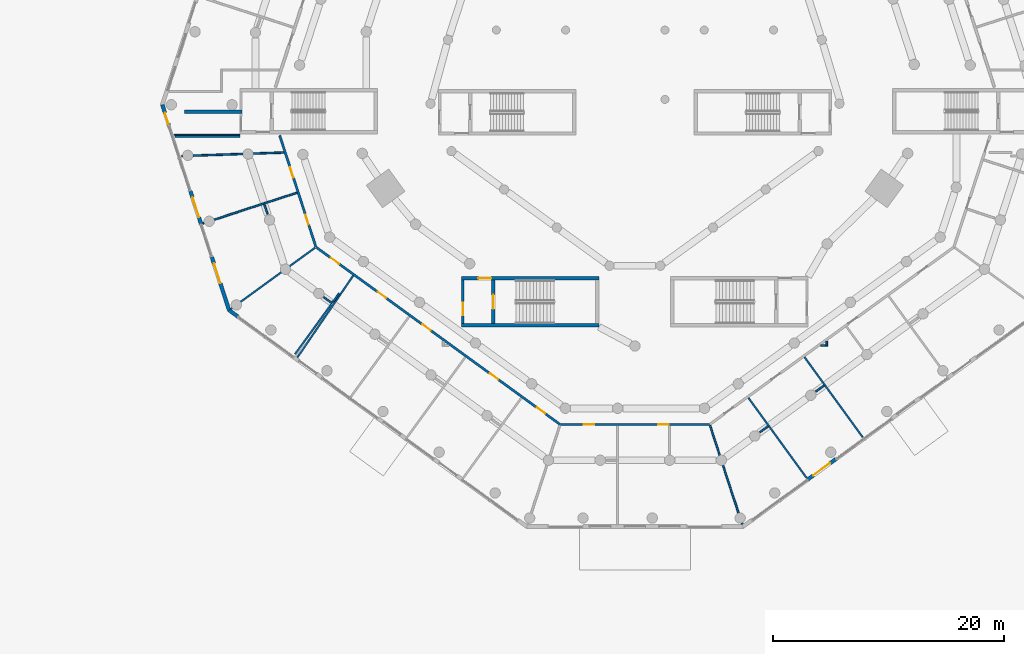
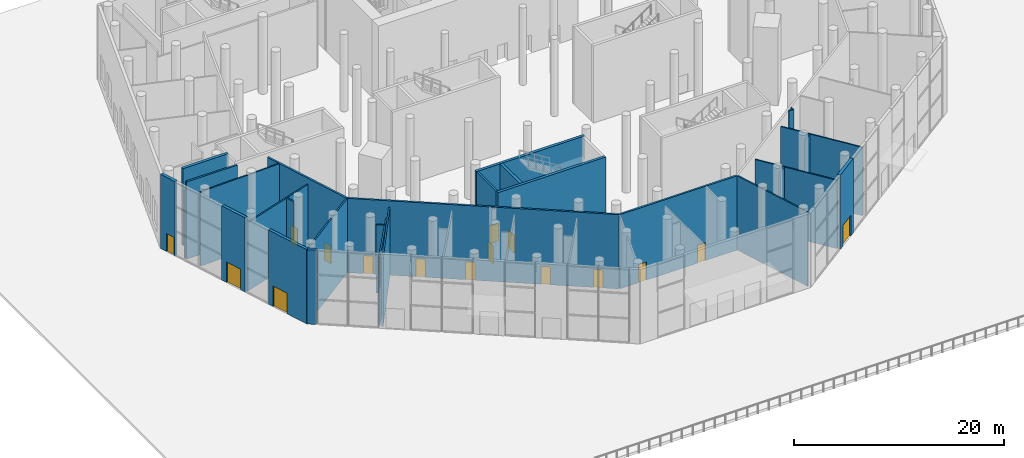
# One storey, part 10 of 25: 30 walls, 16 doors, 16 openings.
"""IFC4 building model written with IfcOpenShell, lengths in metres."""

from ifc_helpers import new_model, si_unit, direction, frame, frame_2d, origin, place, context, subcontext, project, spatial, rectangle, extrude, material, layer, layer_set, type_object, element, fill, save


model = new_model("IFC4")

# Units and contexts
model_context = context("Model", 3, precision=1e-05, world=origin(), true_north=direction((0.0, 1.0)))
body_context = subcontext(model_context, "Body", "Model", "MODEL_VIEW")
ifc_project = project(units=[si_unit("LENGTHUNIT", "METRE"), si_unit("AREAUNIT", "SQUARE_METRE"), si_unit("VOLUMEUNIT", "CUBIC_METRE"), si_unit("PLANEANGLEUNIT", "RADIAN"), si_unit("MASSUNIT", "GRAM", prefix="KILO")], contexts=[model_context])

# Site, building, storey
site_placement = place(None, origin())
site = spatial("IfcSite", under=ifc_project, at=site_placement, CompositionType="ELEMENT")
building_placement = place(site_placement, origin())
building = spatial("IfcBuilding", under=site, at=building_placement, Name="White Candle Pilgrim Tower", CompositionType="ELEMENT")
storey_placement = place(building_placement, origin())
storey = spatial("IfcBuildingStorey", under=building, at=storey_placement, Name="L00", CompositionType="ELEMENT", Elevation=0.0)

# Wall, opening, door
ifc_material_1 = material(Name="Concrete C70/85", Category="concrete")
ifc_layer_1 = layer(ifc_material_1, 0.199951171875)
ifc_layer_set_1 = layer_set([ifc_layer_1], Name="Core wall 200 mm Concrete C70/85")
wall_type_1 = type_object("IfcWallType", Name="Core wall 200 mm Concrete C70/85", PredefinedType="SHEAR", material=ifc_layer_set_1)
wall_1_placement = place(storey_placement, frame((55.10009765625, 41.60009765625, 0.0), z_axis=(0.0, 0.0, 1.0), x_axis=(0.0, 1.0, 0.0)))
wall_1 = element("IfcWall", 1, at=wall_1_placement, inside=storey, type_object=wall_type_1, Name="WL-L00-C03", PredefinedType="SHEAR", context=body_context, shape_type="SweptSolid", body=[
    extrude(rectangle(XDim=3.75, YDim=0.199951171875, at=frame_2d((1.875, 0.0))), origin(), (0.0, 0.0, 1.0), 9.0),
])
opening_1_placement = place(wall_1_placement, frame((0.699951171875, 0.0, 0.0)))
opening_1 = element("IfcOpeningElement", 2, at=opening_1_placement, cuts=wall_1, Name="Opening L00-015", PredefinedType="OPENING", context=body_context, shape_type="SweptSolid", body=[
    extrude(rectangle(XDim=1.10009765625, YDim=2.10009765625, at=frame_2d((0.550048828125, 1.050048828125))), frame((0.0, 0.10986328125, 0.0), z_axis=(0.0, -1.0, 0.0), x_axis=(1.0, 0.0, 0.0)), (0.0, 0.0, 1.0), 0.219970703125),
])
ifc_material_2 = material(Name="Steel door leaf", Category="steel")
door_type_1 = type_object("IfcDoorType", Name="Fire door 1100 x 2100 EI 60", OperationType="NOTDEFINED", PredefinedType="DOOR", material=ifc_material_2)
door_1_placement = place(opening_1_placement, origin())
door_1 = element("IfcDoor", 3, at=door_1_placement, inside=storey, type_object=door_type_1, Name="Door L00-015", OperationType="SINGLE_SWING_LEFT", OverallHeight=2.10009765625, OverallWidth=1.10009765625, PredefinedType="DOOR", context=body_context, shape_type="SweptSolid", body=[
    extrude(rectangle(XDim=1.10009765625, YDim=2.10009765625, at=frame_2d((0.550048828125, 1.050048828125))), frame((0.0, 0.02490234375, 0.0), z_axis=(0.0, -1.0, 0.0), x_axis=(1.0, 0.0, 0.0)), (0.0, 0.0, 1.0), 0.050048828125),
])
fill(opening_1, door_1)

# Wall
wall_2_placement = place(storey_placement, frame((30.199951171875, 57.800048828125, 0.0), z_axis=(0.0, 0.0, 1.0), x_axis=(1.0, 0.0, 0.0)))
element("IfcWall", 4, at=wall_2_placement, inside=storey, type_object=wall_type_1, Name="WL-L00-C11", PredefinedType="SHEAR", context=body_context, shape_type="SweptSolid", body=[
    extrude(rectangle(XDim=5.60009765625, YDim=0.199951171875, at=frame_2d((2.800048828125, 0.0))), origin(), (0.0, 0.0, 1.0), 9.0),
])

# Wall, openings, doors
ifc_material_3 = material(Name="Gypsum board on steel studs", Category="steel")
ifc_layer_2 = layer(ifc_material_3, 0.199951171875)
ifc_layer_set_2 = layer_set([ifc_layer_2], Name="Corridor wall 200 mm EI 45")
wall_type_2 = type_object("IfcWallType", Name="Corridor wall 200 mm EI 45", PredefinedType="PARTITIONING", material=ifc_layer_set_2)
wall_3_placement = place(storey_placement, frame((76.4462890625, 32.861083984375, 0.0), z_axis=(0.0, 0.0, 1.0), x_axis=(-1.0, 0.0, 0.0)))
wall_3 = element("IfcWall", 5, at=wall_3_placement, inside=storey, type_object=wall_type_2, Name="WL-L00-P002", PredefinedType="PARTITIONING", context=body_context, shape_type="SweptSolid", body=[
    extrude(rectangle(XDim=12.892578125, YDim=0.199951171875, at=frame_2d((6.4462890625, 0.0))), origin(), (0.0, 0.0, 1.0), 8.64990234375),
])
opening_2_placement = place(wall_3_placement, frame((9.985595703125, 0.0, 0.0)))
opening_2 = element("IfcOpeningElement", 6, at=opening_2_placement, cuts=wall_3, Name="Opening L00-111", PredefinedType="OPENING", context=body_context, shape_type="SweptSolid", body=[
    extrude(rectangle(XDim=0.89990234375, YDim=2.10009765625, at=frame_2d((0.449951171875, 1.050048828125))), frame((0.0, 0.10986328125, 0.0), z_axis=(0.0, -1.0, 0.0), x_axis=(1.0, 0.0, 0.0)), (0.0, 0.0, 1.0), 0.219970703125),
])
opening_3_placement = place(wall_3_placement, frame((3.5068359375, 0.0, 0.0)))
opening_3 = element("IfcOpeningElement", 7, at=opening_3_placement, cuts=wall_3, Name="Opening L00-112", PredefinedType="OPENING", context=body_context, shape_type="SweptSolid", body=[
    extrude(rectangle(XDim=0.89990234375, YDim=2.10009765625, at=frame_2d((0.449951171875, 1.050048828125))), frame((0.0, 0.10986328125, 0.0), z_axis=(0.0, -1.0, 0.0), x_axis=(1.0, 0.0, 0.0)), (0.0, 0.0, 1.0), 0.219970703125),
])
door_type_2 = type_object("IfcDoorType", Name="Fire door 900 x 2100 EI 30", OperationType="NOTDEFINED", PredefinedType="DOOR", material=ifc_material_2)
door_2_placement = place(opening_2_placement, origin())
door_2 = element("IfcDoor", 8, at=door_2_placement, inside=storey, type_object=door_type_2, Name="Door L00-111", OperationType="SINGLE_SWING_LEFT", OverallHeight=2.10009765625, OverallWidth=0.89990234375, PredefinedType="DOOR", context=body_context, shape_type="SweptSolid", body=[
    extrude(rectangle(XDim=0.89990234375, YDim=2.10009765625, at=frame_2d((0.449951171875, 1.050048828125))), frame((0.0, 0.02490234375, 0.0), z_axis=(0.0, -1.0, 0.0), x_axis=(1.0, 0.0, 0.0)), (0.0, 0.0, 1.0), 0.050048828125),
])
fill(opening_2, door_2)
door_3_placement = place(opening_3_placement, origin())
door_3 = element("IfcDoor", 9, at=door_3_placement, inside=storey, type_object=door_type_2, Name="Door L00-112", OperationType="SINGLE_SWING_RIGHT", OverallHeight=2.10009765625, OverallWidth=0.89990234375, PredefinedType="DOOR", context=body_context, shape_type="SweptSolid", body=[
    extrude(rectangle(XDim=0.89990234375, YDim=2.10009765625, at=frame_2d((0.449951171875, 1.050048828125))), frame((0.0, 0.02490234375, 0.0), z_axis=(0.0, -1.0, 0.0), x_axis=(1.0, 0.0, 0.0)), (0.0, 0.0, 1.0), 0.050048828125),
])
fill(opening_3, door_3)

wall_4_placement = place(storey_placement, frame((63.4951171875, 32.880126953125, 0.0), z_axis=(0.0, 0.0, 1.0), x_axis=(-0.809019996445, 0.587781120276, 0.0)))
wall_4 = element("IfcWall", 10, at=wall_4_placement, inside=storey, type_object=wall_type_2, Name="WL-L00-P003", PredefinedType="PARTITIONING", context=body_context, shape_type="SweptSolid", body=[
    extrude(rectangle(XDim=26.058349609375, YDim=0.199951171875, at=frame_2d((13.029296875, 0.0))), origin(), (0.0, 0.0, 1.0), 8.64990234375),
])
opening_4_placement = place(wall_4_placement, frame((23.610107421875, 0.0, 0.0)))
opening_4 = element("IfcOpeningElement", 11, at=opening_4_placement, cuts=wall_4, Name="Opening L00-106", PredefinedType="OPENING", context=body_context, shape_type="SweptSolid", body=[
    extrude(rectangle(XDim=0.89990234375, YDim=2.10009765625, at=frame_2d((0.449951171875, 1.050048828125))), frame((0.0, 0.10986328125, 0.0), z_axis=(0.0, -1.0, 0.0), x_axis=(1.0, 0.0, 0.0)), (0.0, 0.0, 1.0), 0.219970703125),
])
opening_5_placement = place(wall_4_placement, frame((18.5791015625, 0.0, 0.0)))
opening_5 = element("IfcOpeningElement", 12, at=opening_5_placement, cuts=wall_4, Name="Opening L00-107", PredefinedType="OPENING", context=body_context, shape_type="SweptSolid", body=[
    extrude(rectangle(XDim=0.89990234375, YDim=2.10009765625, at=frame_2d((0.449951171875, 1.050048828125))), frame((0.0, 0.10986328125, 0.0), z_axis=(0.0, -1.0, 0.0), x_axis=(1.0, 0.0, 0.0)), (0.0, 0.0, 1.0), 0.219970703125),
])
opening_6_placement = place(wall_4_placement, frame((13.8037109375, 0.0, 0.0)))
opening_6 = element("IfcOpeningElement", 13, at=opening_6_placement, cuts=wall_4, Name="Opening L00-108", PredefinedType="OPENING", context=body_context, shape_type="SweptSolid", body=[
    extrude(rectangle(XDim=0.89990234375, YDim=2.10009765625, at=frame_2d((0.449951171875, 1.050048828125))), frame((0.0, 0.10986328125, 0.0), z_axis=(0.0, -1.0, 0.0), x_axis=(1.0, 0.0, 0.0)), (0.0, 0.0, 1.0), 0.219970703125),
])
opening_7_placement = place(wall_4_placement, frame((6.5791015625, 0.0, 0.0)))
opening_7 = element("IfcOpeningElement", 14, at=opening_7_placement, cuts=wall_4, Name="Opening L00-109", PredefinedType="OPENING", context=body_context, shape_type="SweptSolid", body=[
    extrude(rectangle(XDim=0.89990234375, YDim=2.10009765625, at=frame_2d((0.449951171875, 1.050048828125))), frame((0.0, 0.10986328125, 0.0), z_axis=(0.0, -1.0, 0.0), x_axis=(1.0, 0.0, 0.0)), (0.0, 0.0, 1.0), 0.219970703125),
])
opening_8_placement = place(wall_4_placement, frame((1.54833984375, 0.0, 0.0)))
opening_8 = element("IfcOpeningElement", 15, at=opening_8_placement, cuts=wall_4, Name="Opening L00-110", PredefinedType="OPENING", context=body_context, shape_type="SweptSolid", body=[
    extrude(rectangle(XDim=0.89990234375, YDim=2.10009765625, at=frame_2d((0.449951171875, 1.050048828125))), frame((0.0, 0.10986328125, 0.0), z_axis=(0.0, -1.0, 0.0), x_axis=(1.0, 0.0, 0.0)), (0.0, 0.0, 1.0), 0.219970703125),
])
door_4_placement = place(opening_4_placement, origin())
door_4 = element("IfcDoor", 16, at=door_4_placement, inside=storey, type_object=door_type_2, Name="Door L00-106", OperationType="SINGLE_SWING_RIGHT", OverallHeight=2.10009765625, OverallWidth=0.89990234375, PredefinedType="DOOR", context=body_context, shape_type="SweptSolid", body=[
    extrude(rectangle(XDim=0.89990234375, YDim=2.10009765625, at=frame_2d((0.449951171875, 1.050048828125))), frame((0.0, 0.02490234375, 0.0), z_axis=(0.0, -1.0, 0.0), x_axis=(1.0, 0.0, 0.0)), (0.0, 0.0, 1.0), 0.050048828125),
])
fill(opening_4, door_4)
door_5_placement = place(opening_5_placement, origin())
door_5 = element("IfcDoor", 17, at=door_5_placement, inside=storey, type_object=door_type_2, Name="Door L00-107", OperationType="SINGLE_SWING_LEFT", OverallHeight=2.10009765625, OverallWidth=0.89990234375, PredefinedType="DOOR", context=body_context, shape_type="SweptSolid", body=[
    extrude(rectangle(XDim=0.89990234375, YDim=2.10009765625, at=frame_2d((0.449951171875, 1.050048828125))), frame((0.0, 0.02490234375, 0.0), z_axis=(0.0, -1.0, 0.0), x_axis=(1.0, 0.0, 0.0)), (0.0, 0.0, 1.0), 0.050048828125),
])
fill(opening_5, door_5)
door_6_placement = place(opening_6_placement, origin())
door_6 = element("IfcDoor", 18, at=door_6_placement, inside=storey, type_object=door_type_2, Name="Door L00-108", OperationType="SINGLE_SWING_RIGHT", OverallHeight=2.10009765625, OverallWidth=0.89990234375, PredefinedType="DOOR", context=body_context, shape_type="SweptSolid", body=[
    extrude(rectangle(XDim=0.89990234375, YDim=2.10009765625, at=frame_2d((0.449951171875, 1.050048828125))), frame((0.0, 0.02490234375, 0.0), z_axis=(0.0, -1.0, 0.0), x_axis=(1.0, 0.0, 0.0)), (0.0, 0.0, 1.0), 0.050048828125),
])
fill(opening_6, door_6)
door_7_placement = place(opening_7_placement, origin())
door_7 = element("IfcDoor", 19, at=door_7_placement, inside=storey, type_object=door_type_2, Name="Door L00-109", OperationType="SINGLE_SWING_LEFT", OverallHeight=2.10009765625, OverallWidth=0.89990234375, PredefinedType="DOOR", context=body_context, shape_type="SweptSolid", body=[
    extrude(rectangle(XDim=0.89990234375, YDim=2.10009765625, at=frame_2d((0.449951171875, 1.050048828125))), frame((0.0, 0.02490234375, 0.0), z_axis=(0.0, -1.0, 0.0), x_axis=(1.0, 0.0, 0.0)), (0.0, 0.0, 1.0), 0.050048828125),
])
fill(opening_7, door_7)
door_8_placement = place(opening_8_placement, origin())
door_8 = element("IfcDoor", 20, at=door_8_placement, inside=storey, type_object=door_type_2, Name="Door L00-110", OperationType="SINGLE_SWING_RIGHT", OverallHeight=2.10009765625, OverallWidth=0.89990234375, PredefinedType="DOOR", context=body_context, shape_type="SweptSolid", body=[
    extrude(rectangle(XDim=0.89990234375, YDim=2.10009765625, at=frame_2d((0.449951171875, 1.050048828125))), frame((0.0, 0.02490234375, 0.0), z_axis=(0.0, -1.0, 0.0), x_axis=(1.0, 0.0, 0.0)), (0.0, 0.0, 1.0), 0.050048828125),
])
fill(opening_8, door_8)

wall_5_placement = place(storey_placement, frame((42.377197265625, 48.246826171875, 0.0), z_axis=(0.0, 0.0, 1.0), x_axis=(-0.309015685068, 0.951056941714, 0.0)))
wall_5 = element("IfcWall", 21, at=wall_5_placement, inside=storey, type_object=wall_type_2, Name="WL-L00-P004", PredefinedType="PARTITIONING", context=body_context, shape_type="SweptSolid", body=[
    extrude(rectangle(XDim=10.117431640625, YDim=0.199951171875, at=frame_2d((5.05859375, 0.0))), origin(), (0.0, 0.0, 1.0), 8.64990234375),
])
opening_9_placement = place(wall_5_placement, frame((6.3095703125, 0.0, 0.0)))
opening_9 = element("IfcOpeningElement", 22, at=opening_9_placement, cuts=wall_5, Name="Opening L00-104", PredefinedType="OPENING", context=body_context, shape_type="SweptSolid", body=[
    extrude(rectangle(XDim=0.89990234375, YDim=2.10009765625, at=frame_2d((0.449951171875, 1.050048828125))), frame((0.0, 0.10986328125, 0.0), z_axis=(0.0, -1.0, 0.0), x_axis=(1.0, 0.0, 0.0)), (0.0, 0.0, 1.0), 0.219970703125),
])
opening_10_placement = place(wall_5_placement, frame((2.0068359375, 0.0, 0.0)))
opening_10 = element("IfcOpeningElement", 23, at=opening_10_placement, cuts=wall_5, Name="Opening L00-105", PredefinedType="OPENING", context=body_context, shape_type="SweptSolid", body=[
    extrude(rectangle(XDim=0.89990234375, YDim=2.10009765625, at=frame_2d((0.449951171875, 1.050048828125))), frame((0.0, 0.10986328125, 0.0), z_axis=(0.0, -1.0, 0.0), x_axis=(1.0, 0.0, 0.0)), (0.0, 0.0, 1.0), 0.219970703125),
])
door_9_placement = place(opening_9_placement, origin())
door_9 = element("IfcDoor", 24, at=door_9_placement, inside=storey, type_object=door_type_2, Name="Door L00-104", OperationType="SINGLE_SWING_RIGHT", OverallHeight=2.10009765625, OverallWidth=0.89990234375, PredefinedType="DOOR", context=body_context, shape_type="SweptSolid", body=[
    extrude(rectangle(XDim=0.89990234375, YDim=2.10009765625, at=frame_2d((0.449951171875, 1.050048828125))), frame((0.0, 0.02490234375, 0.0), z_axis=(0.0, -1.0, 0.0), x_axis=(1.0, 0.0, 0.0)), (0.0, 0.0, 1.0), 0.050048828125),
])
fill(opening_9, door_9)
door_10_placement = place(opening_10_placement, origin())
door_10 = element("IfcDoor", 25, at=door_10_placement, inside=storey, type_object=door_type_2, Name="Door L00-105", OperationType="SINGLE_SWING_LEFT", OverallHeight=2.10009765625, OverallWidth=0.89990234375, PredefinedType="DOOR", context=body_context, shape_type="SweptSolid", body=[
    extrude(rectangle(XDim=0.89990234375, YDim=2.10009765625, at=frame_2d((0.449951171875, 1.050048828125))), frame((0.0, 0.02490234375, 0.0), z_axis=(0.0, -1.0, 0.0), x_axis=(1.0, 0.0, 0.0)), (0.0, 0.0, 1.0), 0.050048828125),
])
fill(opening_10, door_10)

# Wall, opening, door
ifc_material_4 = material(Name="Precast concrete C40/50", Category="concrete")
ifc_layer_3 = layer(ifc_material_4, 0.320068359375)
ifc_layer_set_3 = layer_set([ifc_layer_3], Name="Facade wall EW3 precast concrete C40/50 and stone-faced podium wall")
wall_type_3 = type_object("IfcWallType", Name="Facade wall EW3 precast concrete C40/50 and stone-faced podium wall", PredefinedType="SOLIDWALL", material=ifc_layer_set_3)
wall_6_placement = place(storey_placement, frame((29.088134765625, 60.5390625, 0.0), z_axis=(0.0, 0.0, 1.0), x_axis=(0.309056246022, -0.951043761766, 0.0)))
wall_6 = element("IfcWall", 26, at=wall_6_placement, inside=storey, type_object=wall_type_3, Name="Facade wall L00 W chamfer", PredefinedType="SOLIDWALL", context=body_context, shape_type="SweptSolid", body=[
    extrude(rectangle(XDim=1.850830078125, YDim=0.320068359375, at=frame_2d((0.92529296875, 0.0))), origin(), (0.0, 0.0, 1.0), 8.64990234375),
])
opening_11_placement = place(wall_6_placement, frame((0.7509765625, 0.0, 0.0)))
opening_11 = element("IfcOpeningElement", 27, at=opening_11_placement, cuts=wall_6, Name="Opening L00-928", PredefinedType="OPENING", context=body_context, shape_type="SweptSolid", body=[
    extrude(rectangle(XDim=1.0, YDim=2.10009765625, at=frame_2d((0.5, 1.050048828125))), frame((0.0, 0.169921875, 0.0), z_axis=(0.0, -1.0, 0.0), x_axis=(1.0, 0.0, 0.0)), (0.0, 0.0, 1.0), 0.340087890625),
])
ifc_material_5 = material(Name="Timber frame with laminated glazing", Category="wood")
door_type_3 = type_object("IfcDoorType", Name="Exit door EN8 1000x2100 single leaf", OperationType="SINGLE_SWING_RIGHT", PredefinedType="DOOR", material=ifc_material_5)
door_11_placement = place(opening_11_placement, frame((1.0, 0.0, 0.0), z_axis=(0.0, 0.0, 1.0), x_axis=(-1.0, 0.0, 0.0)))
door_11 = element("IfcDoor", 28, at=door_11_placement, inside=storey, type_object=door_type_3, Name="Door L00 exit ST8", OperationType="SINGLE_SWING_RIGHT", OverallHeight=2.10009765625, OverallWidth=1.0, PredefinedType="DOOR", context=body_context, shape_type="SweptSolid", body=[
    extrude(rectangle(XDim=1.0, YDim=2.10009765625, at=frame_2d((0.5, 1.050048828125))), frame((0.0, 0.0400390625, 0.0), z_axis=(0.0, -1.0, 0.0), x_axis=(1.0, 0.0, 0.0)), (0.0, 0.0, 1.0), 0.050048828125),
])
fill(opening_11, door_11)

wall_7_placement = place(storey_placement, frame((31.51416015625, 53.072509765625, 0.0), z_axis=(0.0, 0.0, 1.0), x_axis=(0.309065831784, -0.951040646673, 0.0)))
wall_7 = element("IfcWall", 29, at=wall_7_placement, inside=storey, type_object=wall_type_3, Name="Facade wall L00 W chamfer", PredefinedType="SOLIDWALL", context=body_context, shape_type="SweptSolid", body=[
    extrude(rectangle(XDim=3.000244140625, YDim=0.320068359375, at=frame_2d((1.5, 0.0))), origin(), (0.0, 0.0, 1.0), 8.64990234375),
])
opening_12_placement = place(wall_7_placement, frame((0.60009765625, 0.0, 0.0)))
opening_12 = element("IfcOpeningElement", 30, at=opening_12_placement, cuts=wall_7, Name="Opening L00-901", PredefinedType="OPENING", context=body_context, shape_type="SweptSolid", body=[
    extrude(rectangle(XDim=1.800048828125, YDim=2.39990234375, at=frame_2d((0.89990234375, 1.199951171875))), frame((0.0, 0.169921875, 0.0), z_axis=(0.0, -1.0, 0.0), x_axis=(1.0, 0.0, 0.0)), (0.0, 0.0, 1.0), 0.340087890625),
])
door_type_4 = type_object("IfcDoorType", Name="Exit door EN5 1800x2400 double leaf", OperationType="DOUBLE_DOOR_DOUBLE_SWING", PredefinedType="DOOR", material=ifc_material_5)
door_12_placement = place(opening_12_placement, origin())
door_12 = element("IfcDoor", 31, at=door_12_placement, inside=storey, type_object=door_type_4, Name="Door L00 W chamfer 3", OperationType="DOUBLE_DOOR_DOUBLE_SWING", OverallHeight=2.39990234375, OverallWidth=1.800048828125, PredefinedType="DOOR", context=body_context, shape_type="SweptSolid", body=[
    extrude(rectangle(XDim=1.800048828125, YDim=2.39990234375, at=frame_2d((0.89990234375, 1.199951171875))), frame((0.0, 0.0400390625, 0.0), z_axis=(0.0, -1.0, 0.0), x_axis=(1.0, 0.0, 0.0)), (0.0, 0.0, 1.0), 0.050048828125),
])
fill(opening_12, door_12)

wall_8_placement = place(storey_placement, frame((33.368408203125, 47.365966796875, 0.0), z_axis=(0.0, 0.0, 1.0), x_axis=(0.309016652969, -0.951056627225, 0.0)))
wall_8 = element("IfcWall", 32, at=wall_8_placement, inside=storey, type_object=wall_type_3, Name="Facade wall L00 W chamfer", PredefinedType="SOLIDWALL", context=body_context, shape_type="SweptSolid", body=[
    extrude(rectangle(XDim=4.850830078125, YDim=0.320068359375, at=frame_2d((2.42529296875, 0.0))), origin(), (0.0, 0.0, 1.0), 8.64990234375),
])
opening_13_placement = place(wall_8_placement, frame((0.60009765625, 0.0, 0.0)))
opening_13 = element("IfcOpeningElement", 33, at=opening_13_placement, cuts=wall_8, Name="Opening L00-902", PredefinedType="OPENING", context=body_context, shape_type="SweptSolid", body=[
    extrude(rectangle(XDim=1.800048828125, YDim=2.39990234375, at=frame_2d((0.89990234375, 1.199951171875))), frame((0.0, 0.169921875, 0.0), z_axis=(0.0, -1.0, 0.0), x_axis=(1.0, 0.0, 0.0)), (0.0, 0.0, 1.0), 0.340087890625),
])
door_13_placement = place(opening_13_placement, origin())
door_13 = element("IfcDoor", 34, at=door_13_placement, inside=storey, type_object=door_type_4, Name="Door L00 W chamfer 5", OperationType="DOUBLE_DOOR_DOUBLE_SWING", OverallHeight=2.39990234375, OverallWidth=1.800048828125, PredefinedType="DOOR", context=body_context, shape_type="SweptSolid", body=[
    extrude(rectangle(XDim=1.800048828125, YDim=2.39990234375, at=frame_2d((0.89990234375, 1.199951171875))), frame((0.0, 0.0400390625, 0.0), z_axis=(0.0, -1.0, 0.0), x_axis=(1.0, 0.0, 0.0)), (0.0, 0.0, 1.0), 0.050048828125),
])
fill(opening_13, door_13)

# Wall
wall_9_placement = place(storey_placement, frame((34.867431640625, 42.75244140625, 0.0), z_axis=(0.0, 0.0, 1.0), x_axis=(0.809097681341, -0.587674180179, 0.0)))
element("IfcWall", 35, at=wall_9_placement, inside=storey, type_object=wall_type_3, Name="Facade wall L00 SW", PredefinedType="SOLIDWALL", context=body_context, shape_type="SweptSolid", body=[
    extrude(rectangle(XDim=0.933837890625, YDim=0.320068359375, at=frame_2d((0.466796875, 0.0))), origin(), (0.0, 0.0, 1.0), 8.64990234375),
])

# Wall, opening, door
wall_10_placement = place(storey_placement, frame((84.960693359375, 28.0966796875, 0.0), z_axis=(0.0, 0.0, 1.0), x_axis=(0.808999938455, 0.587808727036, 0.0)))
wall_10 = element("IfcWall", 36, at=wall_10_placement, inside=storey, type_object=wall_type_3, Name="Facade wall L00 SE", PredefinedType="SOLIDWALL", context=body_context, shape_type="SweptSolid", body=[
    extrude(rectangle(XDim=3.0, YDim=0.320068359375, at=frame_2d((1.5, 0.0))), origin(), (0.0, 0.0, 1.0), 8.64990234375),
])
opening_14_placement = place(wall_10_placement, frame((0.60009765625, 0.0, 0.0)))
opening_14 = element("IfcOpeningElement", 37, at=opening_14_placement, cuts=wall_10, Name="Opening L00-909", PredefinedType="OPENING", context=body_context, shape_type="SweptSolid", body=[
    extrude(rectangle(XDim=1.800048828125, YDim=2.39990234375, at=frame_2d((0.89990234375, 1.199951171875))), frame((0.0, 0.169921875, 0.0), z_axis=(0.0, -1.0, 0.0), x_axis=(1.0, 0.0, 0.0)), (0.0, 0.0, 1.0), 0.340087890625),
])
door_14_placement = place(opening_14_placement, origin())
door_14 = element("IfcDoor", 38, at=door_14_placement, inside=storey, type_object=door_type_4, Name="Door L00 SE 3", OperationType="DOUBLE_DOOR_DOUBLE_SWING", OverallHeight=2.39990234375, OverallWidth=1.800048828125, PredefinedType="DOOR", context=body_context, shape_type="SweptSolid", body=[
    extrude(rectangle(XDim=1.800048828125, YDim=2.39990234375, at=frame_2d((0.89990234375, 1.199951171875))), frame((0.0, 0.0400390625, 0.0), z_axis=(0.0, -1.0, 0.0), x_axis=(1.0, 0.0, 0.0)), (0.0, 0.0, 1.0), 0.050048828125),
])
fill(opening_14, door_14)

# Walls
ifc_layer_4 = layer(ifc_material_3, 0.10009765625)
ifc_layer_set_4 = layer_set([ifc_layer_4], Name="Lobby wall 100 mm REI 240")
wall_type_4 = type_object("IfcWallType", Name="Lobby wall 100 mm REI 240", PredefinedType="PARTITIONING", material=ifc_layer_set_4)
wall_11_placement = place(storey_placement, frame((30.1025390625, 57.949951171875, 0.0), z_axis=(0.0, 0.0, 1.0), x_axis=(1.0, 0.0, 0.0)))
element("IfcWall", 39, at=wall_11_placement, inside=storey, type_object=wall_type_4, Name="WL-L00-C13", PredefinedType="PARTITIONING", context=body_context, shape_type="SweptSolid", body=[
    extrude(rectangle(XDim=5.697509765625, YDim=0.10009765625, at=frame_2d((2.8486328125, 0.0))), origin(), (0.0, 0.0, 1.0), 7.949951171875),
])
ifc_layer_5 = layer(ifc_material_3, 0.14990234375)
ifc_layer_set_5 = layer_set([ifc_layer_5], Name="Partition 150 mm EI 60")
wall_type_5 = type_object("IfcWallType", Name="Partition 150 mm EI 60", PredefinedType="PARTITIONING", material=ifc_layer_set_5)
for number, where, z_axis, x_axis, name in (
    (40, (35.00341796875, 42.851318359375, 0.0), (0.0, 0.0, 1.0), (0.809012721552, 0.587791133284, 0.0), "WL-L00-P012"),
    (41, (79.299072265625, 24.18115234375, 0.0), (0.0, 0.0, 1.0), (-0.309033564473, 0.951051132184, 0.0), "WL-L00-P014"),
):
    element("IfcWall", number, at=place(storey_placement, frame(where, z_axis=z_axis, x_axis=x_axis)), inside=storey, type_object=wall_type_5, Name=name, PredefinedType="PARTITIONING", context=body_context, shape_type="SweptSolid", body=[
        extrude(rectangle(XDim=9.041748046875, YDim=0.14990234375, at=frame_2d((4.52099609375, 0.0))), origin(), (0.0, 0.0, 1.0), 8.64990234375),
    ])
wall_12_placement = place(storey_placement, frame((32.593505859375, 50.268798828125, 0.0), z_axis=(0.0, 0.0, 1.0), x_axis=(0.951054768527, 0.309022373402, 0.0)))
element("IfcWall", 42, at=wall_12_placement, inside=storey, type_object=wall_type_5, Name="WL-L00-P019", PredefinedType="PARTITIONING", context=body_context, shape_type="SweptSolid", body=[
    extrude(rectangle(XDim=8.579833984375, YDim=0.14990234375, at=frame_2d((4.2900390625, 0.0))), origin(), (0.0, 0.0, 1.0), 7.949951171875),
])
wall_13_placement = place(storey_placement, frame((40.7734375, 38.659423828125, 0.0), z_axis=(0.0, 0.0, 1.0), x_axis=(0.563959753829, 0.825802274192, 0.0)))
element("IfcWall", 43, at=wall_13_placement, inside=storey, type_object=wall_type_5, Name="WL-L00-P020", PredefinedType="PARTITIONING", context=body_context, shape_type="SweptSolid", body=[
    extrude(rectangle(XDim=8.583740234375, YDim=0.14990234375, at=frame_2d((4.2919921875, 0.0))), origin(), (0.0, 0.0, 1.0), 7.949951171875),
])
for number, where, z_axis, x_axis, name in (
    (44, (84.86669921875, 28.226318359375, 0.0), (0.0, 0.0, 1.0), (-0.587797718958, 0.809007936665, 0.0), "WL-L00-P025"),
    (45, (89.720703125, 31.7529296875, 0.0), (0.0, 0.0, 1.0), (-0.587797718958, 0.809007936665, 0.0), "WL-L00-P026"),
):
    element("IfcWall", number, at=place(storey_placement, frame(where, z_axis=z_axis, x_axis=x_axis)), inside=storey, type_object=wall_type_5, Name=name, PredefinedType="PARTITIONING", context=body_context, shape_type="SweptSolid", body=[
        extrude(rectangle(XDim=8.579833984375, YDim=0.14990234375, at=frame_2d((4.2900390625, 0.0))), origin(), (0.0, 0.0, 1.0), 7.949951171875),
    ])
wall_14_placement = place(storey_placement, frame((38.19287109375, 51.078125, 0.0), z_axis=(0.0, 0.0, 1.0), x_axis=(-0.309023738622, 0.95105432493, 0.0)))
element("IfcWall", 46, at=wall_14_placement, inside=storey, type_object=wall_type_5, Name="WL-L00-P032", PredefinedType="PARTITIONING", context=body_context, shape_type="SweptSolid", body=[
    extrude(rectangle(XDim=0.8857421875, YDim=0.14990234375, at=frame_2d((0.44287109375, 0.0))), origin(), (0.0, 0.0, 1.0), 7.949951171875),
])
wall_15_placement = place(storey_placement, frame((43.067138671875, 43.87548828125, 0.0), z_axis=(0.0, 0.0, 1.0), x_axis=(0.809010335679, -0.587794417092, 0.0)))
element("IfcWall", 47, at=wall_15_placement, inside=storey, type_object=wall_type_5, Name="WL-L00-P033", PredefinedType="PARTITIONING", context=body_context, shape_type="SweptSolid", body=[
    extrude(rectangle(XDim=0.885009765625, YDim=0.14990234375, at=frame_2d((0.4423828125, 0.0))), origin(), (0.0, 0.0, 1.0), 7.949951171875),
])
for number, where, z_axis, x_axis, name in (
    (48, (80.802978515625, 32.185546875, 0.0), (0.0, 0.0, 1.0), (0.809105603792, 0.587663272557, 0.0), "WL-L00-P039"),
    (49, (85.656982421875, 35.71240234375, 0.0), (0.0, 0.0, 1.0), (0.809105603792, 0.587663272557, 0.0), "WL-L00-P040"),
):
    element("IfcWall", number, at=place(storey_placement, frame(where, z_axis=z_axis, x_axis=x_axis)), inside=storey, type_object=wall_type_5, Name=name, PredefinedType="PARTITIONING", context=body_context, shape_type="SweptSolid", body=[
        extrude(rectangle(XDim=0.88525390625, YDim=0.14990234375, at=frame_2d((0.442626953125, 0.0))), origin(), (0.0, 0.0, 1.0), 7.949951171875),
    ])
wall_16_placement = place(storey_placement, frame((44.400146484375, 44.208984375, 0.0), z_axis=(0.0, 0.0, 1.0), x_axis=(-0.587982019152, -0.808873998318, 0.0)))
element("IfcWall", 50, at=wall_16_placement, inside=storey, type_object=wall_type_5, Name="WL-L00-P051", PredefinedType="PARTITIONING", context=body_context, shape_type="SweptSolid", body=[
    extrude(rectangle(XDim=0.91845703125, YDim=0.14990234375, at=frame_2d((0.459228515625, 0.0))), origin(), (0.0, 0.0, 1.0), 7.949951171875),
])
wall_17_placement = place(storey_placement, frame((43.701416015625, 43.247802734375, 0.0), z_axis=(0.0, 0.0, 1.0), x_axis=(-0.587747334873, -0.809044541635, 0.0)))
element("IfcWall", 51, at=wall_17_placement, inside=storey, type_object=wall_type_5, Name="WL-L00-P052", PredefinedType="PARTITIONING", context=body_context, shape_type="SweptSolid", body=[
    extrude(rectangle(XDim=5.30322265625, YDim=0.14990234375, at=frame_2d((2.651611328125, 0.0))), origin(), (0.0, 0.0, 1.0), 7.949951171875),
])
wall_18_placement = place(storey_placement, frame((30.775390625, 56.097900390625, 0.0), z_axis=(0.0, 0.0, 1.0), x_axis=(0.999409009915, 0.034374858564, 0.0)))
element("IfcWall", 52, at=wall_18_placement, inside=storey, type_object=wall_type_5, Name="WL-L00-P053", PredefinedType="PARTITIONING", context=body_context, shape_type="SweptSolid", body=[
    extrude(rectangle(XDim=8.849365234375, YDim=0.14990234375, at=frame_2d((4.4248046875, 0.0))), origin(), (0.0, 0.0, 1.0), 8.64990234375),
])
wall_19_placement = place(storey_placement, frame((86.10400390625, 39.699951171875, 0.0), z_axis=(0.0, 0.0, 1.0), x_axis=(1.0, 0.0, 0.0)))
element("IfcWall", 53, at=wall_19_placement, inside=storey, type_object=wall_type_5, Name="WL-L00-P075", PredefinedType="PARTITIONING", context=body_context, shape_type="SweptSolid", body=[
    extrude(rectangle(XDim=0.555908203125, YDim=0.14990234375, at=frame_2d((0.27783203125, 0.0))), origin(), (0.0, 0.0, 1.0), 8.64990234375),
])
wall_20_placement = place(storey_placement, frame((86.60009765625, 39.639892578125, 0.0), z_axis=(0.0, 0.0, 1.0), x_axis=(0.0, 1.0, 0.0)))
element("IfcWall", 54, at=wall_20_placement, inside=storey, type_object=wall_type_5, Name="WL-L00-P076", PredefinedType="PARTITIONING", context=body_context, shape_type="SweptSolid", body=[
    extrude(rectangle(XDim=0.43701171875, YDim=0.14990234375, at=frame_2d((0.218505859375, 0.0))), origin(), (0.0, 0.0, 1.0), 8.64990234375),
])
ifc_layer_6 = layer(ifc_material_1, 0.300048828125)
ifc_layer_set_6 = layer_set([ifc_layer_6], Name="Stair shaft wall 300 mm Concrete C70/85")
wall_type_6 = type_object("IfcWallType", Name="Stair shaft wall 300 mm Concrete C70/85", PredefinedType="SHEAR", material=ifc_layer_set_6)
wall_21_placement = place(storey_placement, frame((55.0, 41.449951171875, 0.0), z_axis=(0.0, 0.0, 1.0), x_axis=(1.0, 0.0, 0.0)))
element("IfcWall", 55, at=wall_21_placement, inside=storey, type_object=wall_type_6, Name="WL-L00-C01", PredefinedType="SHEAR", context=body_context, shape_type="SweptSolid", body=[
    extrude(rectangle(XDim=11.89990234375, YDim=0.300048828125, at=frame_2d((5.949951171875, 0.0))), origin(), (0.0, 0.0, 1.0), 9.0),
])

# Wall, opening, door
wall_22_placement = place(storey_placement, frame((57.75, 41.60009765625, 0.0), z_axis=(0.0, 0.0, 1.0), x_axis=(0.0, 1.0, 0.0)))
wall_22 = element("IfcWall", 56, at=wall_22_placement, inside=storey, type_object=wall_type_6, Name="WL-L00-C04", PredefinedType="SHEAR", context=body_context, shape_type="SweptSolid", body=[
    extrude(rectangle(XDim=3.75, YDim=0.300048828125, at=frame_2d((1.875, 0.0))), origin(), (0.0, 0.0, 1.0), 9.0),
])
opening_15_placement = place(wall_22_placement, frame((1.27490234375, 0.0, 0.0)))
opening_15 = element("IfcOpeningElement", 57, at=opening_15_placement, cuts=wall_22, Name="Opening L00-014", PredefinedType="OPENING", context=body_context, shape_type="SweptSolid", body=[
    extrude(rectangle(XDim=1.199951171875, YDim=2.10009765625, at=frame_2d((0.60009765625, 1.050048828125))), frame((0.0, 0.159912109375, 0.0), z_axis=(0.0, -1.0, 0.0), x_axis=(1.0, 0.0, 0.0)), (0.0, 0.0, 1.0), 0.320068359375),
])
door_type_5 = type_object("IfcDoorType", Name="Fire door 1200 x 2100 EI 60", OperationType="NOTDEFINED", PredefinedType="DOOR", material=ifc_material_2)
door_15_placement = place(opening_15_placement, frame((1.199951171875, 0.0, 0.0), z_axis=(0.0, 0.0, 1.0), x_axis=(-1.0, 0.0, 0.0)))
door_15 = element("IfcDoor", 58, at=door_15_placement, inside=storey, type_object=door_type_5, Name="Door L00-014", OperationType="SINGLE_SWING_LEFT", OverallHeight=2.10009765625, OverallWidth=1.199951171875, PredefinedType="DOOR", context=body_context, shape_type="SweptSolid", body=[
    extrude(rectangle(XDim=1.199951171875, YDim=2.10009765625, at=frame_2d((0.60009765625, 1.050048828125))), frame((0.0, 0.02490234375, 0.0), z_axis=(0.0, -1.0, 0.0), x_axis=(1.0, 0.0, 0.0)), (0.0, 0.0, 1.0), 0.050048828125),
])
fill(opening_15, door_15)

wall_23_placement = place(storey_placement, frame((55.0, 45.5, 0.0), z_axis=(0.0, 0.0, 1.0), x_axis=(1.0, 0.0, 0.0)))
wall_23 = element("IfcWall", 59, at=wall_23_placement, inside=storey, type_object=wall_type_6, Name="WL-L00-C09", PredefinedType="SHEAR", context=body_context, shape_type="SweptSolid", body=[
    extrude(rectangle(XDim=11.89990234375, YDim=0.300048828125, at=frame_2d((5.949951171875, 0.0))), origin(), (0.0, 0.0, 1.0), 9.0),
])
opening_16_placement = place(wall_23_placement, frame((1.449951171875, 0.0, 0.0)))
opening_16 = element("IfcOpeningElement", 60, at=opening_16_placement, cuts=wall_23, Name="Opening L00-013", PredefinedType="OPENING", context=body_context, shape_type="SweptSolid", body=[
    extrude(rectangle(XDim=1.10009765625, YDim=2.10009765625, at=frame_2d((0.550048828125, 1.050048828125))), frame((0.0, 0.159912109375, 0.0), z_axis=(0.0, -1.0, 0.0), x_axis=(1.0, 0.0, 0.0)), (0.0, 0.0, 1.0), 0.320068359375),
])
door_16_placement = place(opening_16_placement, frame((1.10009765625, 0.0, 0.0), z_axis=(0.0, 0.0, 1.0), x_axis=(-1.0, 0.0, 0.0)))
door_16 = element("IfcDoor", 61, at=door_16_placement, inside=storey, type_object=door_type_1, Name="Door L00-013", OperationType="SINGLE_SWING_RIGHT", OverallHeight=2.10009765625, OverallWidth=1.10009765625, PredefinedType="DOOR", context=body_context, shape_type="SweptSolid", body=[
    extrude(rectangle(XDim=1.10009765625, YDim=2.10009765625, at=frame_2d((0.550048828125, 1.050048828125))), frame((0.0, 0.02490234375, 0.0), z_axis=(0.0, -1.0, 0.0), x_axis=(1.0, 0.0, 0.0)), (0.0, 0.0, 1.0), 0.050048828125),
])
fill(opening_16, door_16)

# Wall
wall_24_placement = place(storey_placement, frame((31.0, 59.93994140625, 0.0), z_axis=(0.0, 0.0, 1.0), x_axis=(1.0, 0.0, 0.0)))
element("IfcWall", 62, at=wall_24_placement, inside=storey, type_object=wall_type_6, Name="WL-L00-C31", PredefinedType="SHEAR", context=body_context, shape_type="SweptSolid", body=[
    extrude(rectangle(XDim=5.0, YDim=0.300048828125, at=frame_2d((2.5, 0.0))), origin(), (0.0, 0.0, 1.0), 9.0),
])

save(model, "model.ifc")
